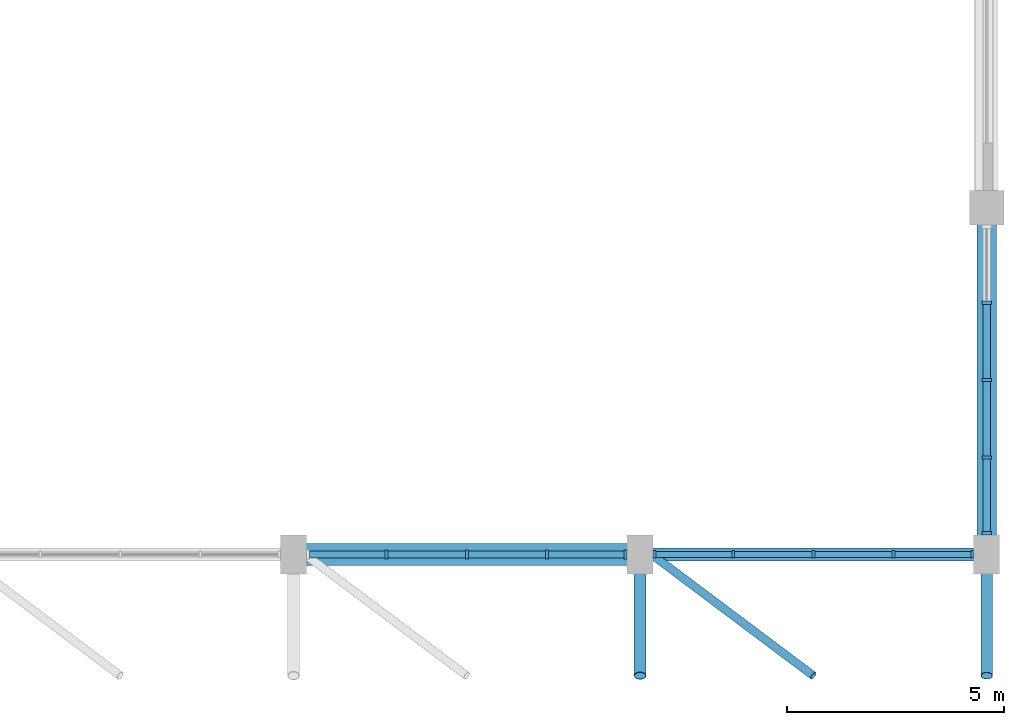
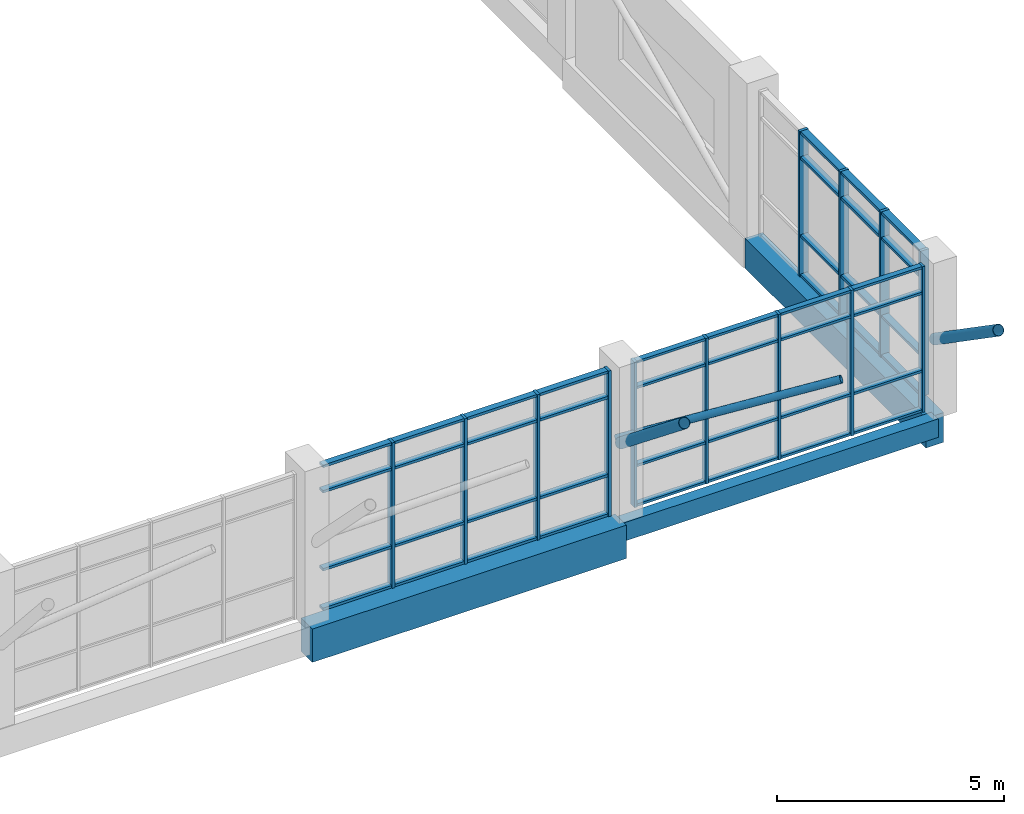
# One storey, part 41 of 84: 60 members, 3 beams, 3 elements without a shape of their own.
"""IFC4 building model written with IfcOpenShell, lengths in metres."""

from ifc_helpers import new_model, si_unit, direction, frame, origin, origin_2d, place, context, subcontext, project, spatial, rectangle, hollow_circle, extrude, material, material_profile, profile_set, type_object, element, aggregate, save


model = new_model("IFC4")

# Units and contexts
model_context = context("Model", 3, precision=1e-05, world=origin(), true_north=direction((0.0, 1.0)))
body_context = subcontext(model_context, "Body", "Model", "MODEL_VIEW")
ifc_project = project(units=[si_unit("LENGTHUNIT", "METRE"), si_unit("AREAUNIT", "SQUARE_METRE"), si_unit("VOLUMEUNIT", "CUBIC_METRE"), si_unit("PLANEANGLEUNIT", "RADIAN"), si_unit("MASSUNIT", "GRAM", prefix="KILO")], contexts=[model_context])

# Site, building, storey
site_placement = place(None, origin())
site = spatial("IfcSite", under=ifc_project, at=site_placement, CompositionType="ELEMENT")
building_placement = place(site_placement, origin())
building = spatial("IfcBuilding", under=site, at=building_placement, Name="Tenunan Teduh Sports Hall", CompositionType="ELEMENT")
storey_placement = place(building_placement, frame((0.0, 0.0, 10.800048828125)))
storey = spatial("IfcBuildingStorey", under=building, at=storey_placement, Name="L02", CompositionType="ELEMENT", Elevation=10.800048828125)

# Beams
ifc_material_1 = material(Name="Concrete C40/50", Category="concrete")
ifc_material_profile_1 = material_profile(ifc_material_1, rectangle(XDim=0.300048828125, YDim=0.5, at=origin_2d()), Name="RCB 300x500")
ifc_profile_set_1 = profile_set([ifc_material_profile_1], Name="Concrete C40/50")
beam_type_1 = type_object("IfcBeamType", Name="BM-RC-300x500", PredefinedType="BEAM", material=ifc_profile_set_1)
beam_1_placement = place(storey_placement, frame((162.0, 14.0, -0.510009765625), z_axis=(1.0, 0.0, 0.0), x_axis=(0.0, 1.0, 0.0)))
element("IfcBeam", 1, at=beam_1_placement, inside=storey, type_object=beam_type_1, Name="BM-B-01-L02-1463", PredefinedType="BEAM", context=body_context, shape_type="SweptSolid", body=[
    extrude(rectangle(XDim=0.300048828125, YDim=0.5, at=origin_2d()), origin(), (0.0, 0.0, 1.0), 8.0),
])
ifc_material_2 = material(Name="Concrete C40/50", Category="concrete")
ifc_material_profile_2 = material_profile(ifc_material_2, rectangle(XDim=0.449951171875, YDim=0.800048828125, at=origin_2d()), Name="RCB 450x800")
ifc_profile_set_2 = profile_set([ifc_material_profile_2], Name="Concrete C40/50")
beam_type_2 = type_object("IfcBeamType", Name="BM-RC-450x800", PredefinedType="BEAM", material=ifc_profile_set_2)
beam_2_placement = place(storey_placement, frame((170.0, 14.0, -0.66015625), z_axis=(0.0, 1.0, 0.0), x_axis=(-1.0, 0.0, 0.0)))
element("IfcBeam", 2, at=beam_2_placement, inside=storey, type_object=beam_type_2, Name="BM-B-12-L02-1672", PredefinedType="BEAM", context=body_context, shape_type="SweptSolid", body=[
    extrude(rectangle(XDim=0.449951171875, YDim=0.800048828125, at=origin_2d()), origin(), (0.0, 0.0, 1.0), 8.0),
])
ifc_material_3 = material(Name="Concrete C40/50", Category="concrete")
ifc_material_profile_3 = material_profile(ifc_material_3, rectangle(XDim=0.5, YDim=0.89990234375, at=origin_2d()), Name="RCB 500x900")
ifc_profile_set_3 = profile_set([ifc_material_profile_3], Name="Concrete C40/50")
beam_type_3 = type_object("IfcBeamType", Name="BM-RC-500x900", PredefinedType="BEAM", material=ifc_profile_set_3)
beam_3_placement = place(storey_placement, frame((154.0, 14.0, -0.7099609375), z_axis=(1.0, 0.0, 0.0), x_axis=(0.0, 1.0, 0.0)))
element("IfcBeam", 3, at=beam_3_placement, inside=storey, type_object=beam_type_3, Name="BM-B-15-L02-1462", PredefinedType="BEAM", context=body_context, shape_type="SweptSolid", body=[
    extrude(rectangle(XDim=0.5, YDim=0.89990234375, at=origin_2d()), origin(), (0.0, 0.0, 1.0), 8.0),
])

# Curtain wall, members
ifc_material_4 = material(Name="Anodised aluminium", Category="aluminium")
curtain_wall_type_1 = type_object("IfcCurtainWallType", Name="CW-CLER-1", PredefinedType="NOTDEFINED", material=ifc_material_4)
curtain_wall_1_placement = place(storey_placement, origin())
curtain_wall_1 = element("IfcCurtainWall", 4, at=curtain_wall_1_placement, inside=storey, type_object=curtain_wall_type_1, Name="CW-CWM-175-L02-026", PredefinedType="NOTDEFINED")
ifc_material_5 = material(Name="Anodised aluminium", Category="aluminium")
ifc_material_profile_4 = material_profile(ifc_material_5, rectangle(XDim=0.06494140625, YDim=0.175048828125, at=origin_2d()), Name="CWM 65x175")
ifc_profile_set_4 = profile_set([ifc_material_profile_4], Name="Anodised aluminium")
member_type_1 = type_object("IfcMemberType", Name="CWM-175", PredefinedType="MULLION", material=ifc_profile_set_4)
member_1_placement = place(storey_placement, frame((162.33251953125, 14.0, 0.0), z_axis=(0.0, 0.0, 1.0), x_axis=(1.0, 0.0, 0.0)))
member_1 = element("IfcMember", 5, at=member_1_placement, type_object=member_type_1, Name="CW-03 mullion 1", PredefinedType="MULLION", context=body_context, shape_type="SweptSolid", body=[
    extrude(rectangle(XDim=0.06494140625, YDim=0.175048828125, at=origin_2d()), origin(), (0.0, 0.0, 1.0), 3.919921875),
])
member_2_placement = place(storey_placement, frame((164.14990234375, 14.0, 0.0), z_axis=(0.0, 0.0, 1.0), x_axis=(1.0, 0.0, 0.0)))
member_2 = element("IfcMember", 6, at=member_2_placement, type_object=member_type_1, Name="CW-03 mullion 2", PredefinedType="MULLION", context=body_context, shape_type="SweptSolid", body=[
    extrude(rectangle(XDim=0.06494140625, YDim=0.175048828125, at=origin_2d()), origin(), (0.0, 0.0, 1.0), 3.919921875),
])
member_3_placement = place(storey_placement, frame((166.0, 14.0, 0.0), z_axis=(0.0, 0.0, 1.0), x_axis=(1.0, 0.0, 0.0)))
member_3 = element("IfcMember", 7, at=member_3_placement, type_object=member_type_1, Name="CW-03 mullion 3", PredefinedType="MULLION", context=body_context, shape_type="SweptSolid", body=[
    extrude(rectangle(XDim=0.06494140625, YDim=0.175048828125, at=origin_2d()), origin(), (0.0, 0.0, 1.0), 3.919921875),
])
member_4_placement = place(storey_placement, frame((167.85009765625, 14.0, 0.0), z_axis=(0.0, 0.0, 1.0), x_axis=(1.0, 0.0, 0.0)))
member_4 = element("IfcMember", 8, at=member_4_placement, type_object=member_type_1, Name="CW-03 mullion 4", PredefinedType="MULLION", context=body_context, shape_type="SweptSolid", body=[
    extrude(rectangle(XDim=0.06494140625, YDim=0.175048828125, at=origin_2d()), origin(), (0.0, 0.0, 1.0), 3.919921875),
])
member_5_placement = place(storey_placement, frame((169.66748046875, 14.0, 0.0), z_axis=(0.0, 0.0, 1.0), x_axis=(1.0, 0.0, 0.0)))
member_5 = element("IfcMember", 9, at=member_5_placement, type_object=member_type_1, Name="CW-03 mullion 5", PredefinedType="MULLION", context=body_context, shape_type="SweptSolid", body=[
    extrude(rectangle(XDim=0.06494140625, YDim=0.175048828125, at=origin_2d()), origin(), (0.0, 0.0, 1.0), 3.919921875),
])

curtain_wall_2_placement = place(storey_placement, origin())
curtain_wall_2 = element("IfcCurtainWall", 10, at=curtain_wall_2_placement, inside=storey, type_object=curtain_wall_type_1, Name="CW-CWM-200-L02-024", PredefinedType="NOTDEFINED")
ifc_material_6 = material(Name="Anodised aluminium", Category="aluminium")
ifc_material_profile_5 = material_profile(ifc_material_6, rectangle(XDim=0.070068359375, YDim=0.199951171875, at=origin_2d()), Name="CWM 70x200")
ifc_profile_set_5 = profile_set([ifc_material_profile_5], Name="Anodised aluminium")
member_type_2 = type_object("IfcMemberType", Name="CWM-200", PredefinedType="MULLION", material=ifc_profile_set_5)
member_6_placement = place(storey_placement, frame((156.14990234375, 14.0, 0.0), z_axis=(0.0, 0.0, 1.0), x_axis=(1.0, 0.0, 0.0)))
member_6 = element("IfcMember", 11, at=member_6_placement, type_object=member_type_2, Name="CW-03 mullion 2", PredefinedType="MULLION", context=body_context, shape_type="SweptSolid", body=[
    extrude(rectangle(XDim=0.070068359375, YDim=0.199951171875, at=origin_2d()), origin(), (0.0, 0.0, 1.0), 3.919921875),
])
member_7_placement = place(storey_placement, frame((158.0, 14.0, 0.0), z_axis=(0.0, 0.0, 1.0), x_axis=(1.0, 0.0, 0.0)))
member_7 = element("IfcMember", 12, at=member_7_placement, type_object=member_type_2, Name="CW-03 mullion 3", PredefinedType="MULLION", context=body_context, shape_type="SweptSolid", body=[
    extrude(rectangle(XDim=0.070068359375, YDim=0.199951171875, at=origin_2d()), origin(), (0.0, 0.0, 1.0), 3.919921875),
])
member_8_placement = place(storey_placement, frame((159.85009765625, 14.0, 0.0), z_axis=(0.0, 0.0, 1.0), x_axis=(1.0, 0.0, 0.0)))
member_8 = element("IfcMember", 13, at=member_8_placement, type_object=member_type_2, Name="CW-03 mullion 4", PredefinedType="MULLION", context=body_context, shape_type="SweptSolid", body=[
    extrude(rectangle(XDim=0.070068359375, YDim=0.199951171875, at=origin_2d()), origin(), (0.0, 0.0, 1.0), 3.919921875),
])
member_9_placement = place(storey_placement, frame((161.6650390625, 14.0, 0.0), z_axis=(0.0, 0.0, 1.0), x_axis=(1.0, 0.0, 0.0)))
member_9 = element("IfcMember", 14, at=member_9_placement, type_object=member_type_2, Name="CW-03 mullion 5", PredefinedType="MULLION", context=body_context, shape_type="SweptSolid", body=[
    extrude(rectangle(XDim=0.070068359375, YDim=0.199951171875, at=origin_2d()), origin(), (0.0, 0.0, 1.0), 3.919921875),
])

ifc_material_7 = material(Name="Anodised aluminium", Category="aluminium")
curtain_wall_type_2 = type_object("IfcCurtainWallType", Name="CW-UNIT-2", PredefinedType="NOTDEFINED", material=ifc_material_7)
curtain_wall_3_placement = place(storey_placement, origin())
curtain_wall_3 = element("IfcCurtainWall", 15, at=curtain_wall_3_placement, inside=storey, type_object=curtain_wall_type_2, Name="CW-CWM-220-L02-029", PredefinedType="NOTDEFINED")
ifc_material_8 = material(Name="Anodised aluminium", Category="aluminium")
ifc_material_profile_6 = material_profile(ifc_material_8, rectangle(XDim=0.074951171875, YDim=0.219970703125, at=origin_2d()), Name="CWM 75x220")
ifc_profile_set_6 = profile_set([ifc_material_profile_6], Name="Anodised aluminium")
member_type_3 = type_object("IfcMemberType", Name="CWM-220", PredefinedType="MULLION", material=ifc_profile_set_6)
member_10_placement = place(storey_placement, frame((170.0, 14.487548828125, 0.0), z_axis=(0.0, 0.0, 1.0), x_axis=(0.0, 1.0, 0.0)))
member_10 = element("IfcMember", 16, at=member_10_placement, type_object=member_type_3, Name="CW-02 mullion 1", PredefinedType="MULLION", context=body_context, shape_type="SweptSolid", body=[
    extrude(rectangle(XDim=0.074951171875, YDim=0.219970703125, at=origin_2d()), origin(), (0.0, 0.0, 1.0), 3.919921875),
])
member_11_placement = place(storey_placement, frame((170.0, 16.237548828125, 0.0), z_axis=(0.0, 0.0, 1.0), x_axis=(0.0, 1.0, 0.0)))
member_11 = element("IfcMember", 17, at=member_11_placement, type_object=member_type_3, Name="CW-02 mullion 2", PredefinedType="MULLION", context=body_context, shape_type="SweptSolid", body=[
    extrude(rectangle(XDim=0.074951171875, YDim=0.219970703125, at=origin_2d()), origin(), (0.0, 0.0, 1.0), 3.919921875),
])
member_12_placement = place(storey_placement, frame((170.0, 18.02490234375, 0.0), z_axis=(0.0, 0.0, 1.0), x_axis=(0.0, 1.0, 0.0)))
member_12 = element("IfcMember", 18, at=member_12_placement, type_object=member_type_3, Name="CW-02 mullion 3", PredefinedType="MULLION", context=body_context, shape_type="SweptSolid", body=[
    extrude(rectangle(XDim=0.074951171875, YDim=0.219970703125, at=origin_2d()), origin(), (0.0, 0.0, 1.0), 3.919921875),
])
member_13_placement = place(storey_placement, frame((170.0, 19.8125, 0.0), z_axis=(0.0, 0.0, 1.0), x_axis=(0.0, 1.0, 0.0)))
member_13 = element("IfcMember", 19, at=member_13_placement, type_object=member_type_3, Name="CW-02 mullion 4", PredefinedType="MULLION", context=body_context, shape_type="SweptSolid", body=[
    extrude(rectangle(XDim=0.074951171875, YDim=0.219970703125, at=origin_2d()), origin(), (0.0, 0.0, 1.0), 3.919921875),
])

# Member
ifc_material_9 = material(Name="Anodised aluminium", Category="aluminium")
ifc_material_profile_7 = material_profile(ifc_material_9, rectangle(XDim=0.06494140625, YDim=0.139892578125, at=origin_2d()), Name="CWT 65x140")
ifc_profile_set_7 = profile_set([ifc_material_profile_7], Name="Anodised aluminium")
member_type_4 = type_object("IfcMemberType", Name="CWT-150", PredefinedType="USERDEFINED", material=ifc_profile_set_7)
member_14_placement = place(storey_placement, frame((162.364990234375, 14.0, 0.032470703125), z_axis=(1.0, 0.0, 0.0), x_axis=(0.0, 0.0, 1.0)))
member_14 = element("IfcMember", 20, at=member_14_placement, type_object=member_type_4, Name="CW-03 transom 1.1", ObjectType="TRANSOM", PredefinedType="USERDEFINED", context=body_context, shape_type="SweptSolid", body=[
    extrude(rectangle(XDim=0.06494140625, YDim=0.139892578125, at=origin_2d()), origin(), (0.0, 0.0, 1.0), 1.75244140625),
])

member_15_placement = place(storey_placement, frame((162.364990234375, 14.0, 1.099853515625), z_axis=(1.0, 0.0, 0.0), x_axis=(0.0, 0.0, 1.0)))
member_15 = element("IfcMember", 21, at=member_15_placement, type_object=member_type_4, Name="CW-03 transom 1.2", ObjectType="TRANSOM", PredefinedType="USERDEFINED", context=body_context, shape_type="SweptSolid", body=[
    extrude(rectangle(XDim=0.06494140625, YDim=0.139892578125, at=origin_2d()), origin(), (0.0, 0.0, 1.0), 1.75244140625),
])

member_16_placement = place(storey_placement, frame((162.364990234375, 14.0, 3.199951171875), z_axis=(1.0, 0.0, 0.0), x_axis=(0.0, 0.0, 1.0)))
member_16 = element("IfcMember", 22, at=member_16_placement, type_object=member_type_4, Name="CW-03 transom 1.3", ObjectType="TRANSOM", PredefinedType="USERDEFINED", context=body_context, shape_type="SweptSolid", body=[
    extrude(rectangle(XDim=0.06494140625, YDim=0.139892578125, at=origin_2d()), origin(), (0.0, 0.0, 1.0), 1.75244140625),
])

member_17_placement = place(storey_placement, frame((162.364990234375, 14.0, 3.887451171875), z_axis=(1.0, 0.0, 0.0), x_axis=(0.0, 0.0, 1.0)))
member_17 = element("IfcMember", 23, at=member_17_placement, type_object=member_type_4, Name="CW-03 transom 1.4", ObjectType="TRANSOM", PredefinedType="USERDEFINED", context=body_context, shape_type="SweptSolid", body=[
    extrude(rectangle(XDim=0.06494140625, YDim=0.139892578125, at=origin_2d()), origin(), (0.0, 0.0, 1.0), 1.75244140625),
])

member_18_placement = place(storey_placement, frame((164.1826171875, 14.0, 0.032470703125), z_axis=(1.0, 0.0, 0.0), x_axis=(0.0, 0.0, 1.0)))
member_18 = element("IfcMember", 24, at=member_18_placement, type_object=member_type_4, Name="CW-03 transom 2.1", ObjectType="TRANSOM", PredefinedType="USERDEFINED", context=body_context, shape_type="SweptSolid", body=[
    extrude(rectangle(XDim=0.06494140625, YDim=0.139892578125, at=origin_2d()), origin(), (0.0, 0.0, 1.0), 1.784912109375),
])

member_19_placement = place(storey_placement, frame((164.1826171875, 14.0, 1.099853515625), z_axis=(1.0, 0.0, 0.0), x_axis=(0.0, 0.0, 1.0)))
member_19 = element("IfcMember", 25, at=member_19_placement, type_object=member_type_4, Name="CW-03 transom 2.2", ObjectType="TRANSOM", PredefinedType="USERDEFINED", context=body_context, shape_type="SweptSolid", body=[
    extrude(rectangle(XDim=0.06494140625, YDim=0.139892578125, at=origin_2d()), origin(), (0.0, 0.0, 1.0), 1.784912109375),
])

member_20_placement = place(storey_placement, frame((164.1826171875, 14.0, 3.199951171875), z_axis=(1.0, 0.0, 0.0), x_axis=(0.0, 0.0, 1.0)))
member_20 = element("IfcMember", 26, at=member_20_placement, type_object=member_type_4, Name="CW-03 transom 2.3", ObjectType="TRANSOM", PredefinedType="USERDEFINED", context=body_context, shape_type="SweptSolid", body=[
    extrude(rectangle(XDim=0.06494140625, YDim=0.139892578125, at=origin_2d()), origin(), (0.0, 0.0, 1.0), 1.784912109375),
])

member_21_placement = place(storey_placement, frame((164.1826171875, 14.0, 3.887451171875), z_axis=(1.0, 0.0, 0.0), x_axis=(0.0, 0.0, 1.0)))
member_21 = element("IfcMember", 27, at=member_21_placement, type_object=member_type_4, Name="CW-03 transom 2.4", ObjectType="TRANSOM", PredefinedType="USERDEFINED", context=body_context, shape_type="SweptSolid", body=[
    extrude(rectangle(XDim=0.06494140625, YDim=0.139892578125, at=origin_2d()), origin(), (0.0, 0.0, 1.0), 1.784912109375),
])

member_22_placement = place(storey_placement, frame((166.032470703125, 14.0, 0.032470703125), z_axis=(1.0, 0.0, 0.0), x_axis=(0.0, 0.0, 1.0)))
member_22 = element("IfcMember", 28, at=member_22_placement, type_object=member_type_4, Name="CW-03 transom 3.1", ObjectType="TRANSOM", PredefinedType="USERDEFINED", context=body_context, shape_type="SweptSolid", body=[
    extrude(rectangle(XDim=0.06494140625, YDim=0.139892578125, at=origin_2d()), origin(), (0.0, 0.0, 1.0), 1.784912109375),
])

member_23_placement = place(storey_placement, frame((166.032470703125, 14.0, 1.099853515625), z_axis=(1.0, 0.0, 0.0), x_axis=(0.0, 0.0, 1.0)))
member_23 = element("IfcMember", 29, at=member_23_placement, type_object=member_type_4, Name="CW-03 transom 3.2", ObjectType="TRANSOM", PredefinedType="USERDEFINED", context=body_context, shape_type="SweptSolid", body=[
    extrude(rectangle(XDim=0.06494140625, YDim=0.139892578125, at=origin_2d()), origin(), (0.0, 0.0, 1.0), 1.784912109375),
])

member_24_placement = place(storey_placement, frame((166.032470703125, 14.0, 3.199951171875), z_axis=(1.0, 0.0, 0.0), x_axis=(0.0, 0.0, 1.0)))
member_24 = element("IfcMember", 30, at=member_24_placement, type_object=member_type_4, Name="CW-03 transom 3.3", ObjectType="TRANSOM", PredefinedType="USERDEFINED", context=body_context, shape_type="SweptSolid", body=[
    extrude(rectangle(XDim=0.06494140625, YDim=0.139892578125, at=origin_2d()), origin(), (0.0, 0.0, 1.0), 1.784912109375),
])

member_25_placement = place(storey_placement, frame((166.032470703125, 14.0, 3.887451171875), z_axis=(1.0, 0.0, 0.0), x_axis=(0.0, 0.0, 1.0)))
member_25 = element("IfcMember", 31, at=member_25_placement, type_object=member_type_4, Name="CW-03 transom 3.4", ObjectType="TRANSOM", PredefinedType="USERDEFINED", context=body_context, shape_type="SweptSolid", body=[
    extrude(rectangle(XDim=0.06494140625, YDim=0.139892578125, at=origin_2d()), origin(), (0.0, 0.0, 1.0), 1.784912109375),
])

member_26_placement = place(storey_placement, frame((167.882568359375, 14.0, 0.032470703125), z_axis=(1.0, 0.0, 0.0), x_axis=(0.0, 0.0, 1.0)))
member_26 = element("IfcMember", 32, at=member_26_placement, type_object=member_type_4, Name="CW-03 transom 4.1", ObjectType="TRANSOM", PredefinedType="USERDEFINED", context=body_context, shape_type="SweptSolid", body=[
    extrude(rectangle(XDim=0.06494140625, YDim=0.139892578125, at=origin_2d()), origin(), (0.0, 0.0, 1.0), 1.75244140625),
])

member_27_placement = place(storey_placement, frame((167.882568359375, 14.0, 1.099853515625), z_axis=(1.0, 0.0, 0.0), x_axis=(0.0, 0.0, 1.0)))
member_27 = element("IfcMember", 33, at=member_27_placement, type_object=member_type_4, Name="CW-03 transom 4.2", ObjectType="TRANSOM", PredefinedType="USERDEFINED", context=body_context, shape_type="SweptSolid", body=[
    extrude(rectangle(XDim=0.06494140625, YDim=0.139892578125, at=origin_2d()), origin(), (0.0, 0.0, 1.0), 1.75244140625),
])

member_28_placement = place(storey_placement, frame((167.882568359375, 14.0, 3.199951171875), z_axis=(1.0, 0.0, 0.0), x_axis=(0.0, 0.0, 1.0)))
member_28 = element("IfcMember", 34, at=member_28_placement, type_object=member_type_4, Name="CW-03 transom 4.3", ObjectType="TRANSOM", PredefinedType="USERDEFINED", context=body_context, shape_type="SweptSolid", body=[
    extrude(rectangle(XDim=0.06494140625, YDim=0.139892578125, at=origin_2d()), origin(), (0.0, 0.0, 1.0), 1.75244140625),
])

member_29_placement = place(storey_placement, frame((167.882568359375, 14.0, 3.887451171875), z_axis=(1.0, 0.0, 0.0), x_axis=(0.0, 0.0, 1.0)))
member_29 = element("IfcMember", 35, at=member_29_placement, type_object=member_type_4, Name="CW-03 transom 4.4", ObjectType="TRANSOM", PredefinedType="USERDEFINED", context=body_context, shape_type="SweptSolid", body=[
    extrude(rectangle(XDim=0.06494140625, YDim=0.139892578125, at=origin_2d()), origin(), (0.0, 0.0, 1.0), 1.75244140625),
])

aggregate(curtain_wall_1, [member_1, member_2, member_3, member_4, member_5, member_14, member_15, member_16, member_17, member_18, member_19, member_20, member_21, member_22, member_23, member_24, member_25, member_26, member_27, member_28, member_29])

ifc_material_10 = material(Name="Anodised aluminium", Category="aluminium")
ifc_material_profile_8 = material_profile(ifc_material_10, rectangle(XDim=0.074951171875, YDim=0.179931640625, at=origin_2d()), Name="CWT 75x180")
ifc_profile_set_8 = profile_set([ifc_material_profile_8], Name="Anodised aluminium")
member_type_5 = type_object("IfcMemberType", Name="CWT-180", PredefinedType="USERDEFINED", material=ifc_profile_set_8)
member_30_placement = place(storey_placement, frame((170.0, 14.52490234375, 0.037353515625), z_axis=(0.0, 1.0, 0.0), x_axis=(0.0, 0.0, 1.0)))
member_30 = element("IfcMember", 36, at=member_30_placement, type_object=member_type_5, Name="CW-02 transom 1.1", ObjectType="TRANSOM", PredefinedType="USERDEFINED", context=body_context, shape_type="SweptSolid", body=[
    extrude(rectangle(XDim=0.074951171875, YDim=0.179931640625, at=origin_2d()), origin(), (0.0, 0.0, 1.0), 1.675048828125),
])

member_31_placement = place(storey_placement, frame((170.0, 14.52490234375, 1.099853515625), z_axis=(0.0, 1.0, 0.0), x_axis=(0.0, 0.0, 1.0)))
member_31 = element("IfcMember", 37, at=member_31_placement, type_object=member_type_5, Name="CW-02 transom 1.2", ObjectType="TRANSOM", PredefinedType="USERDEFINED", context=body_context, shape_type="SweptSolid", body=[
    extrude(rectangle(XDim=0.074951171875, YDim=0.179931640625, at=origin_2d()), origin(), (0.0, 0.0, 1.0), 1.675048828125),
])

member_32_placement = place(storey_placement, frame((170.0, 14.52490234375, 3.199951171875), z_axis=(0.0, 1.0, 0.0), x_axis=(0.0, 0.0, 1.0)))
member_32 = element("IfcMember", 38, at=member_32_placement, type_object=member_type_5, Name="CW-02 transom 1.3", ObjectType="TRANSOM", PredefinedType="USERDEFINED", context=body_context, shape_type="SweptSolid", body=[
    extrude(rectangle(XDim=0.074951171875, YDim=0.179931640625, at=origin_2d()), origin(), (0.0, 0.0, 1.0), 1.675048828125),
])

member_33_placement = place(storey_placement, frame((170.0, 14.52490234375, 3.882568359375), z_axis=(0.0, 1.0, 0.0), x_axis=(0.0, 0.0, 1.0)))
member_33 = element("IfcMember", 39, at=member_33_placement, type_object=member_type_5, Name="CW-02 transom 1.4", ObjectType="TRANSOM", PredefinedType="USERDEFINED", context=body_context, shape_type="SweptSolid", body=[
    extrude(rectangle(XDim=0.074951171875, YDim=0.179931640625, at=origin_2d()), origin(), (0.0, 0.0, 1.0), 1.675048828125),
])

member_34_placement = place(storey_placement, frame((170.0, 16.27490234375, 0.037353515625), z_axis=(0.0, 1.0, 0.0), x_axis=(0.0, 0.0, 1.0)))
member_34 = element("IfcMember", 40, at=member_34_placement, type_object=member_type_5, Name="CW-02 transom 2.1", ObjectType="TRANSOM", PredefinedType="USERDEFINED", context=body_context, shape_type="SweptSolid", body=[
    extrude(rectangle(XDim=0.074951171875, YDim=0.179931640625, at=origin_2d()), origin(), (0.0, 0.0, 1.0), 1.712646484375),
])

member_35_placement = place(storey_placement, frame((170.0, 16.27490234375, 1.099853515625), z_axis=(0.0, 1.0, 0.0), x_axis=(0.0, 0.0, 1.0)))
member_35 = element("IfcMember", 41, at=member_35_placement, type_object=member_type_5, Name="CW-02 transom 2.2", ObjectType="TRANSOM", PredefinedType="USERDEFINED", context=body_context, shape_type="SweptSolid", body=[
    extrude(rectangle(XDim=0.074951171875, YDim=0.179931640625, at=origin_2d()), origin(), (0.0, 0.0, 1.0), 1.712646484375),
])

member_36_placement = place(storey_placement, frame((170.0, 16.27490234375, 3.199951171875), z_axis=(0.0, 1.0, 0.0), x_axis=(0.0, 0.0, 1.0)))
member_36 = element("IfcMember", 42, at=member_36_placement, type_object=member_type_5, Name="CW-02 transom 2.3", ObjectType="TRANSOM", PredefinedType="USERDEFINED", context=body_context, shape_type="SweptSolid", body=[
    extrude(rectangle(XDim=0.074951171875, YDim=0.179931640625, at=origin_2d()), origin(), (0.0, 0.0, 1.0), 1.712646484375),
])

member_37_placement = place(storey_placement, frame((170.0, 16.27490234375, 3.882568359375), z_axis=(0.0, 1.0, 0.0), x_axis=(0.0, 0.0, 1.0)))
member_37 = element("IfcMember", 43, at=member_37_placement, type_object=member_type_5, Name="CW-02 transom 2.4", ObjectType="TRANSOM", PredefinedType="USERDEFINED", context=body_context, shape_type="SweptSolid", body=[
    extrude(rectangle(XDim=0.074951171875, YDim=0.179931640625, at=origin_2d()), origin(), (0.0, 0.0, 1.0), 1.712646484375),
])

member_38_placement = place(storey_placement, frame((170.0, 18.0625, 0.037353515625), z_axis=(0.0, 1.0, 0.0), x_axis=(0.0, 0.0, 1.0)))
member_38 = element("IfcMember", 44, at=member_38_placement, type_object=member_type_5, Name="CW-02 transom 3.1", ObjectType="TRANSOM", PredefinedType="USERDEFINED", context=body_context, shape_type="SweptSolid", body=[
    extrude(rectangle(XDim=0.074951171875, YDim=0.179931640625, at=origin_2d()), origin(), (0.0, 0.0, 1.0), 1.71240234375),
])

member_39_placement = place(storey_placement, frame((170.0, 18.0625, 1.099853515625), z_axis=(0.0, 1.0, 0.0), x_axis=(0.0, 0.0, 1.0)))
member_39 = element("IfcMember", 45, at=member_39_placement, type_object=member_type_5, Name="CW-02 transom 3.2", ObjectType="TRANSOM", PredefinedType="USERDEFINED", context=body_context, shape_type="SweptSolid", body=[
    extrude(rectangle(XDim=0.074951171875, YDim=0.179931640625, at=origin_2d()), origin(), (0.0, 0.0, 1.0), 1.71240234375),
])

member_40_placement = place(storey_placement, frame((170.0, 18.0625, 3.199951171875), z_axis=(0.0, 1.0, 0.0), x_axis=(0.0, 0.0, 1.0)))
member_40 = element("IfcMember", 46, at=member_40_placement, type_object=member_type_5, Name="CW-02 transom 3.3", ObjectType="TRANSOM", PredefinedType="USERDEFINED", context=body_context, shape_type="SweptSolid", body=[
    extrude(rectangle(XDim=0.074951171875, YDim=0.179931640625, at=origin_2d()), origin(), (0.0, 0.0, 1.0), 1.71240234375),
])

member_41_placement = place(storey_placement, frame((170.0, 18.0625, 3.882568359375), z_axis=(0.0, 1.0, 0.0), x_axis=(0.0, 0.0, 1.0)))
member_41 = element("IfcMember", 47, at=member_41_placement, type_object=member_type_5, Name="CW-02 transom 3.4", ObjectType="TRANSOM", PredefinedType="USERDEFINED", context=body_context, shape_type="SweptSolid", body=[
    extrude(rectangle(XDim=0.074951171875, YDim=0.179931640625, at=origin_2d()), origin(), (0.0, 0.0, 1.0), 1.71240234375),
])

aggregate(curtain_wall_3, [member_10, member_11, member_12, member_13, member_30, member_31, member_32, member_33, member_34, member_35, member_36, member_37, member_38, member_39, member_40, member_41])

ifc_material_11 = material(Name="Anodised aluminium", Category="aluminium")
ifc_material_profile_9 = material_profile(ifc_material_11, rectangle(XDim=0.070068359375, YDim=0.159912109375, at=origin_2d()), Name="CWT 70x160")
ifc_profile_set_9 = profile_set([ifc_material_profile_9], Name="Anodised aluminium")
member_type_6 = type_object("IfcMemberType", Name="CWT-200", PredefinedType="USERDEFINED", material=ifc_profile_set_9)
member_42_placement = place(storey_placement, frame((154.3701171875, 14.0, 0.034912109375), z_axis=(1.0, 0.0, 0.0), x_axis=(0.0, 0.0, 1.0)))
member_42 = element("IfcMember", 48, at=member_42_placement, type_object=member_type_6, Name="CW-03 transom 1.1", ObjectType="TRANSOM", PredefinedType="USERDEFINED", context=body_context, shape_type="SweptSolid", body=[
    extrude(rectangle(XDim=0.070068359375, YDim=0.159912109375, at=origin_2d()), origin(), (0.0, 0.0, 1.0), 1.744873046875),
])

member_43_placement = place(storey_placement, frame((154.3701171875, 14.0, 1.099853515625), z_axis=(1.0, 0.0, 0.0), x_axis=(0.0, 0.0, 1.0)))
member_43 = element("IfcMember", 49, at=member_43_placement, type_object=member_type_6, Name="CW-03 transom 1.2", ObjectType="TRANSOM", PredefinedType="USERDEFINED", context=body_context, shape_type="SweptSolid", body=[
    extrude(rectangle(XDim=0.070068359375, YDim=0.159912109375, at=origin_2d()), origin(), (0.0, 0.0, 1.0), 1.744873046875),
])

member_44_placement = place(storey_placement, frame((154.3701171875, 14.0, 3.199951171875), z_axis=(1.0, 0.0, 0.0), x_axis=(0.0, 0.0, 1.0)))
member_44 = element("IfcMember", 50, at=member_44_placement, type_object=member_type_6, Name="CW-03 transom 1.3", ObjectType="TRANSOM", PredefinedType="USERDEFINED", context=body_context, shape_type="SweptSolid", body=[
    extrude(rectangle(XDim=0.070068359375, YDim=0.159912109375, at=origin_2d()), origin(), (0.0, 0.0, 1.0), 1.744873046875),
])

member_45_placement = place(storey_placement, frame((154.3701171875, 14.0, 3.885009765625), z_axis=(1.0, 0.0, 0.0), x_axis=(0.0, 0.0, 1.0)))
member_45 = element("IfcMember", 51, at=member_45_placement, type_object=member_type_6, Name="CW-03 transom 1.4", ObjectType="TRANSOM", PredefinedType="USERDEFINED", context=body_context, shape_type="SweptSolid", body=[
    extrude(rectangle(XDim=0.070068359375, YDim=0.159912109375, at=origin_2d()), origin(), (0.0, 0.0, 1.0), 1.744873046875),
])

member_46_placement = place(storey_placement, frame((156.18505859375, 14.0, 0.034912109375), z_axis=(1.0, 0.0, 0.0), x_axis=(0.0, 0.0, 1.0)))
member_46 = element("IfcMember", 52, at=member_46_placement, type_object=member_type_6, Name="CW-03 transom 2.1", ObjectType="TRANSOM", PredefinedType="USERDEFINED", context=body_context, shape_type="SweptSolid", body=[
    extrude(rectangle(XDim=0.070068359375, YDim=0.159912109375, at=origin_2d()), origin(), (0.0, 0.0, 1.0), 1.780029296875),
])

member_47_placement = place(storey_placement, frame((156.18505859375, 14.0, 1.099853515625), z_axis=(1.0, 0.0, 0.0), x_axis=(0.0, 0.0, 1.0)))
member_47 = element("IfcMember", 53, at=member_47_placement, type_object=member_type_6, Name="CW-03 transom 2.2", ObjectType="TRANSOM", PredefinedType="USERDEFINED", context=body_context, shape_type="SweptSolid", body=[
    extrude(rectangle(XDim=0.070068359375, YDim=0.159912109375, at=origin_2d()), origin(), (0.0, 0.0, 1.0), 1.780029296875),
])

member_48_placement = place(storey_placement, frame((156.18505859375, 14.0, 3.199951171875), z_axis=(1.0, 0.0, 0.0), x_axis=(0.0, 0.0, 1.0)))
member_48 = element("IfcMember", 54, at=member_48_placement, type_object=member_type_6, Name="CW-03 transom 2.3", ObjectType="TRANSOM", PredefinedType="USERDEFINED", context=body_context, shape_type="SweptSolid", body=[
    extrude(rectangle(XDim=0.070068359375, YDim=0.159912109375, at=origin_2d()), origin(), (0.0, 0.0, 1.0), 1.780029296875),
])

member_49_placement = place(storey_placement, frame((156.18505859375, 14.0, 3.885009765625), z_axis=(1.0, 0.0, 0.0), x_axis=(0.0, 0.0, 1.0)))
member_49 = element("IfcMember", 55, at=member_49_placement, type_object=member_type_6, Name="CW-03 transom 2.4", ObjectType="TRANSOM", PredefinedType="USERDEFINED", context=body_context, shape_type="SweptSolid", body=[
    extrude(rectangle(XDim=0.070068359375, YDim=0.159912109375, at=origin_2d()), origin(), (0.0, 0.0, 1.0), 1.780029296875),
])

member_50_placement = place(storey_placement, frame((158.034912109375, 14.0, 0.034912109375), z_axis=(1.0, 0.0, 0.0), x_axis=(0.0, 0.0, 1.0)))
member_50 = element("IfcMember", 56, at=member_50_placement, type_object=member_type_6, Name="CW-03 transom 3.1", ObjectType="TRANSOM", PredefinedType="USERDEFINED", context=body_context, shape_type="SweptSolid", body=[
    extrude(rectangle(XDim=0.070068359375, YDim=0.159912109375, at=origin_2d()), origin(), (0.0, 0.0, 1.0), 1.780029296875),
])

member_51_placement = place(storey_placement, frame((158.034912109375, 14.0, 1.099853515625), z_axis=(1.0, 0.0, 0.0), x_axis=(0.0, 0.0, 1.0)))
member_51 = element("IfcMember", 57, at=member_51_placement, type_object=member_type_6, Name="CW-03 transom 3.2", ObjectType="TRANSOM", PredefinedType="USERDEFINED", context=body_context, shape_type="SweptSolid", body=[
    extrude(rectangle(XDim=0.070068359375, YDim=0.159912109375, at=origin_2d()), origin(), (0.0, 0.0, 1.0), 1.780029296875),
])

member_52_placement = place(storey_placement, frame((158.034912109375, 14.0, 3.199951171875), z_axis=(1.0, 0.0, 0.0), x_axis=(0.0, 0.0, 1.0)))
member_52 = element("IfcMember", 58, at=member_52_placement, type_object=member_type_6, Name="CW-03 transom 3.3", ObjectType="TRANSOM", PredefinedType="USERDEFINED", context=body_context, shape_type="SweptSolid", body=[
    extrude(rectangle(XDim=0.070068359375, YDim=0.159912109375, at=origin_2d()), origin(), (0.0, 0.0, 1.0), 1.780029296875),
])

member_53_placement = place(storey_placement, frame((158.034912109375, 14.0, 3.885009765625), z_axis=(1.0, 0.0, 0.0), x_axis=(0.0, 0.0, 1.0)))
member_53 = element("IfcMember", 59, at=member_53_placement, type_object=member_type_6, Name="CW-03 transom 3.4", ObjectType="TRANSOM", PredefinedType="USERDEFINED", context=body_context, shape_type="SweptSolid", body=[
    extrude(rectangle(XDim=0.070068359375, YDim=0.159912109375, at=origin_2d()), origin(), (0.0, 0.0, 1.0), 1.780029296875),
])

member_54_placement = place(storey_placement, frame((159.885009765625, 14.0, 0.034912109375), z_axis=(1.0, 0.0, 0.0), x_axis=(0.0, 0.0, 1.0)))
member_54 = element("IfcMember", 60, at=member_54_placement, type_object=member_type_6, Name="CW-03 transom 4.1", ObjectType="TRANSOM", PredefinedType="USERDEFINED", context=body_context, shape_type="SweptSolid", body=[
    extrude(rectangle(XDim=0.070068359375, YDim=0.159912109375, at=origin_2d()), origin(), (0.0, 0.0, 1.0), 1.744873046875),
])

member_55_placement = place(storey_placement, frame((159.885009765625, 14.0, 1.099853515625), z_axis=(1.0, 0.0, 0.0), x_axis=(0.0, 0.0, 1.0)))
member_55 = element("IfcMember", 61, at=member_55_placement, type_object=member_type_6, Name="CW-03 transom 4.2", ObjectType="TRANSOM", PredefinedType="USERDEFINED", context=body_context, shape_type="SweptSolid", body=[
    extrude(rectangle(XDim=0.070068359375, YDim=0.159912109375, at=origin_2d()), origin(), (0.0, 0.0, 1.0), 1.744873046875),
])

member_56_placement = place(storey_placement, frame((159.885009765625, 14.0, 3.199951171875), z_axis=(1.0, 0.0, 0.0), x_axis=(0.0, 0.0, 1.0)))
member_56 = element("IfcMember", 62, at=member_56_placement, type_object=member_type_6, Name="CW-03 transom 4.3", ObjectType="TRANSOM", PredefinedType="USERDEFINED", context=body_context, shape_type="SweptSolid", body=[
    extrude(rectangle(XDim=0.070068359375, YDim=0.159912109375, at=origin_2d()), origin(), (0.0, 0.0, 1.0), 1.744873046875),
])

member_57_placement = place(storey_placement, frame((159.885009765625, 14.0, 3.885009765625), z_axis=(1.0, 0.0, 0.0), x_axis=(0.0, 0.0, 1.0)))
member_57 = element("IfcMember", 63, at=member_57_placement, type_object=member_type_6, Name="CW-03 transom 4.4", ObjectType="TRANSOM", PredefinedType="USERDEFINED", context=body_context, shape_type="SweptSolid", body=[
    extrude(rectangle(XDim=0.070068359375, YDim=0.159912109375, at=origin_2d()), origin(), (0.0, 0.0, 1.0), 1.744873046875),
])

aggregate(curtain_wall_2, [member_6, member_7, member_8, member_9, member_42, member_43, member_44, member_45, member_46, member_47, member_48, member_49, member_50, member_51, member_52, member_53, member_54, member_55, member_56, member_57])

# Members
ifc_material_12 = material(Name="Steel S355", Category="steel")
ifc_material_profile_10 = material_profile(ifc_material_12, hollow_circle(Radius=0.096923828125, WallThickness=0.008056640625, at=origin_2d()), Name="CHS 193.7x8.0")
ifc_profile_set_10 = profile_set([ifc_material_profile_10], Name="Steel S355")
member_type_7 = type_object("IfcMemberType", Name="MEM-BR-CHS194", PredefinedType="BRACE", material=ifc_profile_set_10)
member_58_placement = place(storey_placement, frame((162.0, 14.199951171875, 1.800048828125), z_axis=(0.741953988279, -0.556465491209, 0.373965822462), x_axis=(0.6, 0.8, 0.0)))
element("IfcMember", 64, at=member_58_placement, inside=storey, type_object=member_type_7, Name="MEM-GD-03-L02-0082", PredefinedType="BRACE", context=body_context, shape_type="SweptSolid", body=[
    extrude(hollow_circle(Radius=0.096923828125, WallThickness=0.008056640625, at=origin_2d()), origin(), (0.0, 0.0, 1.0), 5.39111328125),
])
ifc_material_13 = material(Name="Steel S355", Category="steel")
ifc_material_profile_11 = material_profile(ifc_material_13, hollow_circle(Radius=0.136474609375, WallThickness=0.010009765625, at=origin_2d()), Name="CHS 273.0x10.0")
ifc_profile_set_11 = profile_set([ifc_material_profile_11], Name="Steel S355")
member_type_8 = type_object("IfcMemberType", Name="MEM-ST-CHS273", PredefinedType="STRUT", material=ifc_profile_set_11)
member_59_placement = place(storey_placement, frame((162.0, 14.0, 1.800048828125), z_axis=(0.0, -0.781573047842, 0.623813730922), x_axis=(1.0, 0.0, 0.0)))
element("IfcMember", 65, at=member_59_placement, inside=storey, type_object=member_type_8, Name="MEM-VS-04-L02-0074", PredefinedType="STRUT", context=body_context, shape_type="SweptSolid", body=[
    extrude(hollow_circle(Radius=0.136474609375, WallThickness=0.010009765625, at=origin_2d()), origin(), (0.0, 0.0, 1.0), 3.58251953125),
])
member_60_placement = place(storey_placement, frame((170.0, 14.0, 1.800048828125), z_axis=(0.0, -0.822798653948, 0.568332979037), x_axis=(1.0, 0.0, 0.0)))
element("IfcMember", 66, at=member_60_placement, inside=storey, type_object=member_type_8, Name="MEM-VS-04-L02-0090", PredefinedType="STRUT", context=body_context, shape_type="SweptSolid", body=[
    extrude(hollow_circle(Radius=0.136474609375, WallThickness=0.010009765625, at=origin_2d()), origin(), (0.0, 0.0, 1.0), 3.403076171875),
])

save(model, "model.ifc")
